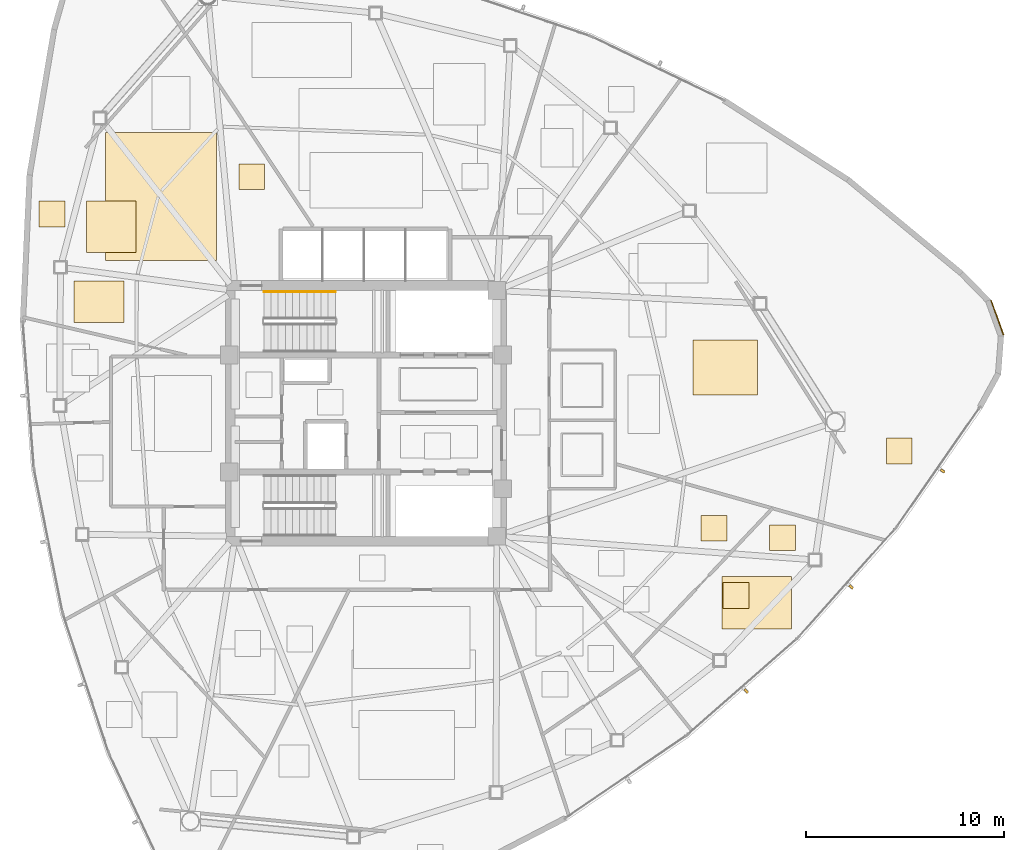
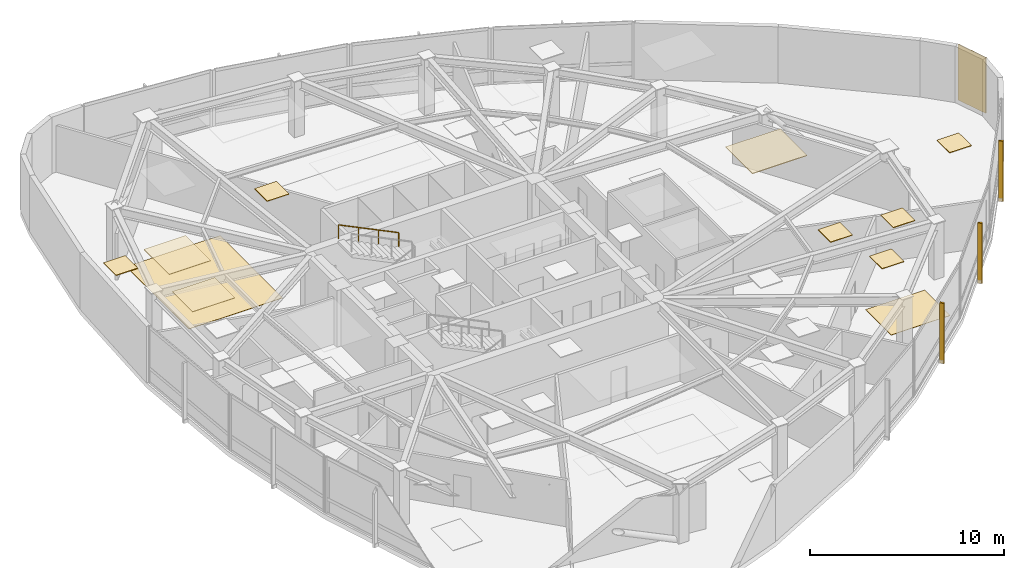
# One storey, part 16 of 17: 12 coverings, 3 shading devices, 1 railing.
"""IFC4 building model written with IfcOpenShell, lengths in metres."""

from ifc_helpers import new_model, si_unit, direction, frame, origin, origin_2d, place, context, subcontext, project, spatial, polyline, rectangle, outline, extrude, source, transform, mapped, material, layer, layer_set, type_object, type_shapes, element, save


model = new_model("IFC4")

# Units and contexts
model_context = context("Model", 3, precision=1e-05, world=origin(), true_north=direction((0.0, 1.0)))
body_context = subcontext(model_context, "Body", "Model", "MODEL_VIEW")
ifc_project = project(units=[si_unit("LENGTHUNIT", "METRE"), si_unit("AREAUNIT", "SQUARE_METRE"), si_unit("VOLUMEUNIT", "CUBIC_METRE"), si_unit("PLANEANGLEUNIT", "RADIAN"), si_unit("MASSUNIT", "GRAM", prefix="KILO")], contexts=[model_context])

# Site, building, storey
site_placement = place(None, origin())
site = spatial("IfcSite", under=ifc_project, at=site_placement, CompositionType="ELEMENT")
building_placement = place(site_placement, origin())
building = spatial("IfcBuilding", under=site, at=building_placement, Name="Tavelor Broadcast Tower", CompositionType="ELEMENT")
storey_placement = place(building_placement, frame((0.0, 0.0, 192.60009765625)))
storey = spatial("IfcBuildingStorey", under=building, at=storey_placement, Name="L46", CompositionType="ELEMENT", Elevation=192.60009765625)

# Covering
ifc_material_1 = material(Name="Copper-Bronze Anodized Aluminium", Category="aluminium")
ifc_layer_1 = layer(ifc_material_1, 0.050048828125)
ifc_layer_set_1 = layer_set([ifc_layer_1], Name="Copper-Bronze Anodized Aluminium")
covering_type_1 = type_object("IfcCoveringType", Name="Champagne-Bronze Corner Pier Metal Cladding 50 mm", PredefinedType="CLADDING", material=ifc_layer_set_1)
covering_1_placement = place(storey_placement, frame((81.858642578125, 49.8369140625, 0.02001953125), z_axis=(0.0, 0.0, 1.0), x_axis=(-0.341199976689, 0.93999073182, 0.0)))
element("IfcCovering", 1, at=covering_1_placement, inside=storey, type_object=covering_type_1, Name="L46 Champagne-Bronze Corner Cladding 23", PredefinedType="CLADDING", context=body_context, shape_type="SweptSolid", body=[
    extrude(rectangle(XDim=1.858154296875, YDim=0.050048828125, at=origin_2d()), origin(), (0.0, 0.0, 1.0), 3.510009765625),
])

# Railing
ifc_material_2 = material(Name="Steel S355", Category="steel")
railing_type = type_object("IfcRailingType", Name="Continuous Brushed Stainless Handrail 900 mm", PredefinedType="HANDRAIL", material=ifc_material_2)
railing_placement = place(storey_placement, frame((48.449951171875, 51.14990234375, 2.099853515625)))
element("IfcRailing", 2, at=railing_placement, inside=storey, type_object=railing_type, Name="L46 ST1 stair handrail 2", PredefinedType="HANDRAIL", context=body_context, shape_type="SweptSolid", body=[
    extrude(rectangle(XDim=0.048095703125, YDim=0.048095703125, at=origin_2d()), frame((0.0, 0.0, 0.8759765625), z_axis=(-0.899360859046, 0.0, 0.437207096483), x_axis=(0.0, -1.0, 0.0)), (0.0, 0.0, 1.0), 4.002685546875),
    extrude(rectangle(XDim=0.0419921875, YDim=0.0419921875, at=origin_2d()), origin(), (0.0, 0.0, 1.0), 0.851806640625),
    extrude(rectangle(XDim=0.0419921875, YDim=0.0419921875, at=origin_2d()), frame((-1.199951171875, 0.0, 0.583251953125)), (0.0, 0.0, 1.0), 0.851806640625),
    extrude(rectangle(XDim=0.0419921875, YDim=0.0419921875, at=origin_2d()), frame((-2.39990234375, 0.0, 1.166748046875)), (0.0, 0.0, 1.0), 0.851806640625),
    extrude(rectangle(XDim=0.0419921875, YDim=0.0419921875, at=origin_2d()), frame((-3.599853515625, 0.0, 1.75)), (0.0, 0.0, 1.0), 0.851806640625),
])

# Coverings
ifc_material_3 = material(Name="Acoustic Nylon Carpet Tile")
ifc_layer_2 = layer(ifc_material_3, 0.02001953125)
ifc_layer_set_2 = layer_set([ifc_layer_2], Name="Acoustic Nylon Carpet Tile")
covering_type_2 = type_object("IfcCoveringType", Name="Heavy-Duty Acoustic Broadcast Carpet Tile 20 mm", PredefinedType="FLOORING", material=ifc_layer_set_2)
covering_2_placement = place(storey_placement, origin())
element("IfcCovering", 3, at=covering_2_placement, inside=storey, type_object=covering_type_2, Name="L46 Broadcast Floor Finish 0697", PredefinedType="FLOORING", context=body_context, shape_type="SweptSolid", body=[
    extrude(outline(polyline([(67.961669921875, 34.124267578125), (71.476318359375, 34.124267578125), (71.476318359375, 36.769287109375), (67.961669921875, 36.769287109375), (67.961669921875, 34.124267578125)])), origin(), (0.0, 0.0, 1.0), 0.02001953125),
])
covering_3_placement = place(storey_placement, origin())
element("IfcCovering", 4, at=covering_3_placement, inside=storey, type_object=covering_type_2, Name="L46 Broadcast Floor Finish 0702", PredefinedType="FLOORING", context=body_context, shape_type="SweptSolid", body=[
    extrude(outline(polyline([(36.858642578125, 52.71435546875), (42.4453125, 52.71435546875), (42.4453125, 59.19189453125), (36.858642578125, 59.19189453125), (36.858642578125, 52.71435546875)])), origin(), (0.0, 0.0, 1.0), 0.02001953125),
])
ifc_material_4 = material(Name="Acoustic Mineral Fibre Tile")
ifc_layer_3 = layer(ifc_material_4, 0.0400390625)
ifc_layer_set_3 = layer_set([ifc_layer_3], Name="Acoustic Mineral Fibre Tile")
covering_type_3 = type_object("IfcCoveringType", Name="Suspended Acoustic Mineral-Fibre Office Ceiling 40 mm", PredefinedType="CEILING", material=ifc_layer_set_3)
covering_4_placement = place(storey_placement, frame((0.0, 0.0, 3.510009765625)))
element("IfcCovering", 5, at=covering_4_placement, inside=storey, type_object=covering_type_3, Name="L46 Suspended Acoustic Ceiling 1923", PredefinedType="CEILING", context=body_context, shape_type="SweptSolid", body=[
    extrude(outline(polyline([(66.510986328125, 45.92822265625), (69.765625, 45.92822265625), (69.765625, 48.698486328125), (66.510986328125, 48.698486328125), (66.510986328125, 45.92822265625)])), origin(), (0.0, 0.0, 1.0), 0.039794921875),
])
covering_5_placement = place(storey_placement, frame((0.0, 0.0, 3.510009765625)))
element("IfcCovering", 6, at=covering_5_placement, inside=storey, type_object=covering_type_3, Name="L46 Suspended Acoustic Ceiling 1924", PredefinedType="CEILING", context=body_context, shape_type="SweptSolid", body=[
    extrude(outline(polyline([(76.258544921875, 42.461181640625), (77.55859375, 42.461181640625), (77.55859375, 43.760986328125), (76.258544921875, 43.760986328125), (76.258544921875, 42.461181640625)])), origin(), (0.0, 0.0, 1.0), 0.039794921875),
])
covering_6_placement = place(storey_placement, frame((0.0, 0.0, 3.510009765625)))
element("IfcCovering", 7, at=covering_6_placement, inside=storey, type_object=covering_type_3, Name="L46 Suspended Acoustic Ceiling 1926", PredefinedType="CEILING", context=body_context, shape_type="SweptSolid", body=[
    extrude(outline(polyline([(68.024658203125, 35.165283203125), (69.32470703125, 35.165283203125), (69.32470703125, 36.465087890625), (68.024658203125, 36.465087890625), (68.024658203125, 35.165283203125)])), origin(), (0.0, 0.0, 1.0), 0.039794921875),
])
covering_7_placement = place(storey_placement, frame((0.0, 0.0, 3.510009765625)))
element("IfcCovering", 8, at=covering_7_placement, inside=storey, type_object=covering_type_3, Name="L46 Suspended Acoustic Ceiling 1927", PredefinedType="CEILING", context=body_context, shape_type="SweptSolid", body=[
    extrude(outline(polyline([(70.372314453125, 38.077880859375), (71.67236328125, 38.077880859375), (71.67236328125, 39.3779296875), (70.372314453125, 39.3779296875), (70.372314453125, 38.077880859375)])), origin(), (0.0, 0.0, 1.0), 0.039794921875),
])
covering_8_placement = place(storey_placement, frame((0.0, 0.0, 3.510009765625)))
element("IfcCovering", 9, at=covering_8_placement, inside=storey, type_object=covering_type_3, Name="L46 Suspended Acoustic Ceiling 1936", PredefinedType="CEILING", context=body_context, shape_type="SweptSolid", body=[
    extrude(outline(polyline([(33.496337890625, 54.415771484375), (34.79638671875, 54.415771484375), (34.79638671875, 55.7158203125), (33.496337890625, 55.7158203125), (33.496337890625, 54.415771484375)])), origin(), (0.0, 0.0, 1.0), 0.039794921875),
])
covering_9_placement = place(storey_placement, frame((0.0, 0.0, 3.510009765625)))
element("IfcCovering", 10, at=covering_9_placement, inside=storey, type_object=covering_type_3, Name="L46 Suspended Acoustic Ceiling 1937", PredefinedType="CEILING", context=body_context, shape_type="SweptSolid", body=[
    extrude(outline(polyline([(35.90185546875, 53.112548828125), (38.393310546875, 53.112548828125), (38.393310546875, 55.72216796875), (35.90185546875, 55.72216796875), (35.90185546875, 53.112548828125)])), origin(), (0.0, 0.0, 1.0), 0.039794921875),
])
covering_10_placement = place(storey_placement, frame((0.0, 0.0, 3.510009765625)))
element("IfcCovering", 11, at=covering_10_placement, inside=storey, type_object=covering_type_3, Name="L46 Suspended Acoustic Ceiling 1939", PredefinedType="CEILING", context=body_context, shape_type="SweptSolid", body=[
    extrude(outline(polyline([(43.580078125, 56.29150390625), (44.880126953125, 56.29150390625), (44.880126953125, 57.59130859375), (43.580078125, 57.59130859375), (43.580078125, 56.29150390625)])), origin(), (0.0, 0.0, 1.0), 0.039794921875),
])
covering_11_placement = place(storey_placement, frame((0.0, 0.0, 3.510009765625)))
element("IfcCovering", 12, at=covering_11_placement, inside=storey, type_object=covering_type_3, Name="L46 Suspended Acoustic Ceiling 1940", PredefinedType="CEILING", context=body_context, shape_type="SweptSolid", body=[
    extrude(outline(polyline([(35.266845703125, 49.59326171875), (37.797119140625, 49.59326171875), (37.797119140625, 51.692138671875), (35.266845703125, 51.692138671875), (35.266845703125, 49.59326171875)])), origin(), (0.0, 0.0, 1.0), 0.039794921875),
])
covering_12_placement = place(storey_placement, frame((0.0, 0.0, 3.510009765625)))
element("IfcCovering", 13, at=covering_12_placement, inside=storey, type_object=covering_type_3, Name="L46 Suspended Acoustic Ceiling 1948", PredefinedType="CEILING", context=body_context, shape_type="SweptSolid", body=[
    extrude(outline(polyline([(66.91796875, 38.559814453125), (68.218017578125, 38.559814453125), (68.218017578125, 39.859619140625), (66.91796875, 39.859619140625), (66.91796875, 38.559814453125)])), origin(), (0.0, 0.0, 1.0), 0.039794921875),
])

# Shading devices
ifc_material_5 = material(Name="Kiln-Fired Glazed Terracotta", Category="masonry")
shading_device_type = type_object("IfcShadingDeviceType", Name="Extruded Terracotta Baguette Sun-Screen 110x240", PredefinedType="JALOUSIE", material=ifc_material_5)
shared_shape = source(origin(), body_context, "Body", "SweptSolid", [
    extrude(rectangle(XDim=0.110107421875, YDim=0.239990234375, at=origin_2d()), origin(), (0.0, 0.0, 1.0), 3.7900390625),
])
type_shapes(shading_device_type, [shared_shape])
for number, where, z_axis, x_axis, name in (
    (14, (69.18798828125, 30.989501953125, -0.260009765625), (0.0, 0.0, 1.0), (0.751494471773, 0.659739387103, 0.0), "L46 Terracotta Baguette Fin 486"),
    (15, (74.4853515625, 36.240966796875, -0.260009765625), (0.0, 0.0, 1.0), (0.66614204858, 0.745824893064, 0.0), "L46 Terracotta Baguette Fin 487"),
    (16, (79.1083984375, 42.094970703125, -0.260009765625), (0.0, 0.0, 1.0), (0.571000168056, 0.820949942494, 0.0), "L46 Terracotta Baguette Fin 488"),
):
    element("IfcShadingDevice", number, at=place(storey_placement, frame(where, z_axis=z_axis, x_axis=x_axis)), inside=storey, type_object=shading_device_type, Name=name, PredefinedType="JALOUSIE", context=body_context, shape_type="MappedRepresentation", body=[
        mapped(shared_shape, transform((0.0, 0.0, 0.0), scale=1.0)),
    ])

save(model, "model.ifc")
